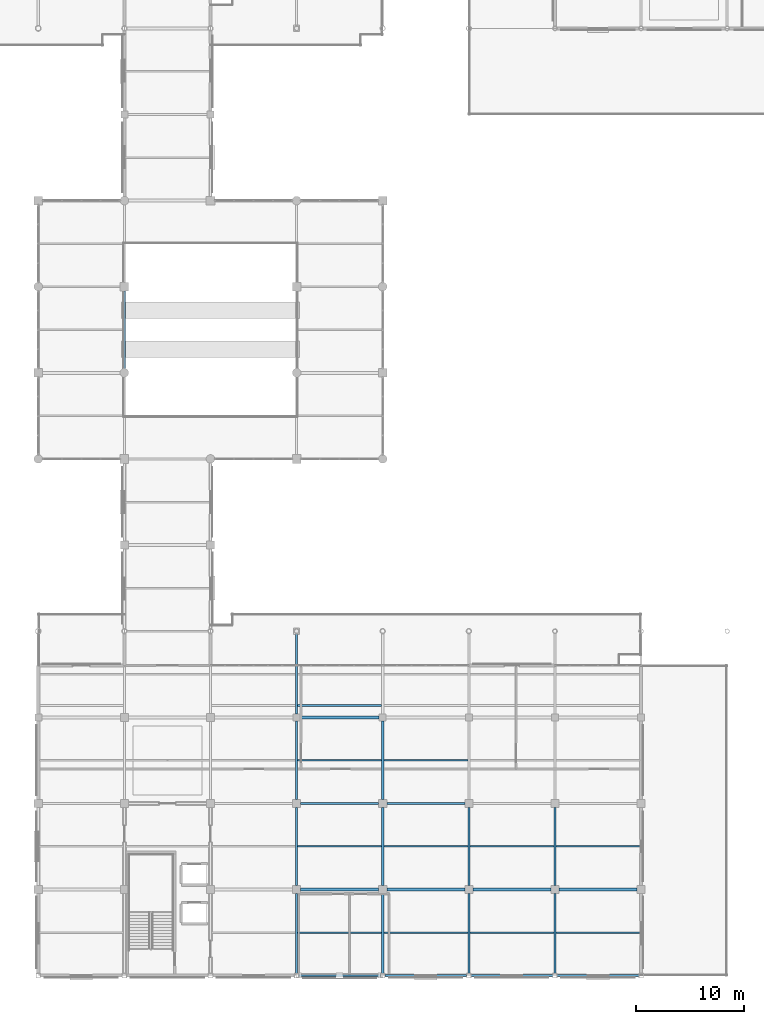
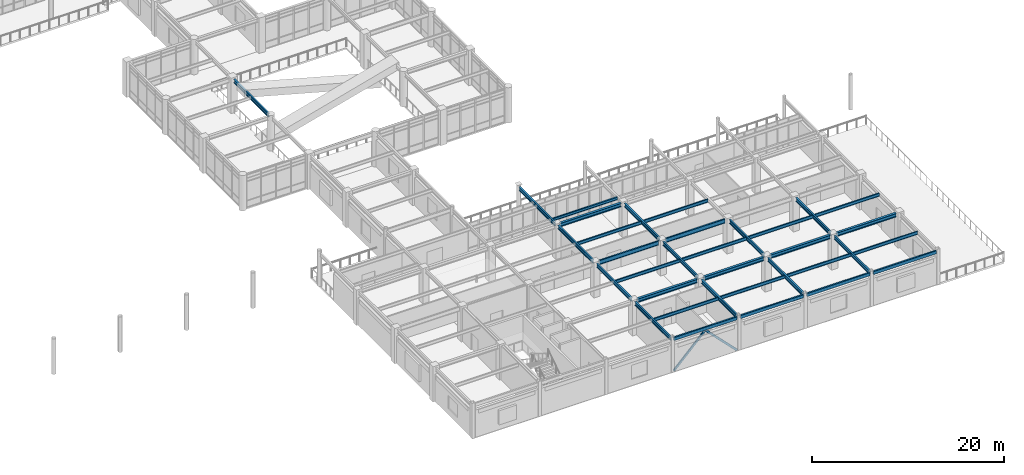
# One storey, part 22 of 75: 34 beams, 2 members.
"""IFC4 building model written with IfcOpenShell, lengths in metres."""

from ifc_helpers import new_model, si_unit, direction, frame, origin, origin_2d, place, context, subcontext, project, spatial, hollow_rectangle, i_section, extrude, material, material_profile, profile_set, type_object, element, save


model = new_model("IFC4")

# Units and contexts
model_context = context("Model", 3, precision=1e-05, world=origin(), true_north=direction((0.0, 1.0)))
body_context = subcontext(model_context, "Body", "Model", "MODEL_VIEW")
ifc_project = project(units=[si_unit("LENGTHUNIT", "METRE"), si_unit("AREAUNIT", "SQUARE_METRE"), si_unit("VOLUMEUNIT", "CUBIC_METRE"), si_unit("PLANEANGLEUNIT", "RADIAN"), si_unit("MASSUNIT", "GRAM", prefix="KILO")], contexts=[model_context])

# Site, building, storey
site_placement = place(None, origin())
site = spatial("IfcSite", under=ifc_project, at=site_placement, CompositionType="ELEMENT")
building_placement = place(site_placement, origin())
building = spatial("IfcBuilding", under=site, at=building_placement, Name="Solmirada Galleria", CompositionType="ELEMENT")
storey_placement = place(building_placement, frame((0.0, 0.0, 19.39990234375)))
storey = spatial("IfcBuildingStorey", under=building, at=storey_placement, Name="L04", CompositionType="ELEMENT", Elevation=19.39990234375)

# Beams
ifc_material_1 = material(Name="Steel S355 / ASTM A992 Grade 50", Category="steel")
ifc_material_profile_1 = material_profile(ifc_material_1, i_section(OverallWidth=0.281982421875, OverallDepth=0.467041015625, WebThickness=0.01220703125, FlangeThickness=0.01953125, FilletRadius=0.013916015625, at=origin_2d()), Name="W18X86")
ifc_profile_set_1 = profile_set([ifc_material_profile_1], Name="Steel S355 / ASTM A992 Grade 50")
beam_type_1 = type_object("IfcBeamType", Name="BM-GIRD-W18A", PredefinedType="BEAM", material=ifc_profile_set_1)
beam_1_placement = place(storey_placement, frame((104.375, 8.0, 4.066650390625), z_axis=(1.0, 0.0, 0.0), x_axis=(0.0, 1.0, 0.0)))
element("IfcBeam", 1, at=beam_1_placement, inside=storey, type_object=beam_type_1, Name="Primary beam L05 X(104..112, 8)", PredefinedType="BEAM", context=body_context, shape_type="SweptSolid", body=[
    extrude(i_section(OverallWidth=0.281982421875, OverallDepth=0.467041015625, WebThickness=0.01220703125, FlangeThickness=0.01953125, FilletRadius=0.013916015625, at=origin_2d()), origin(), (0.0, 0.0, 1.0), 7.25),
])
beam_2_placement = place(storey_placement, frame((104.324951171875, 24.0, 4.026611328125), z_axis=(1.0, 0.0, 0.0), x_axis=(0.0, 1.0, 0.0)))
element("IfcBeam", 2, at=beam_2_placement, inside=storey, type_object=beam_type_1, Name="Primary beam L05 X(104..112, 24)", PredefinedType="BEAM", context=body_context, shape_type="SweptSolid", body=[
    extrude(i_section(OverallWidth=0.281982421875, OverallDepth=0.467041015625, WebThickness=0.01220703125, FlangeThickness=0.01953125, FilletRadius=0.013916015625, at=origin_2d()), origin(), (0.0, 0.0, 1.0), 7.35009765625),
])
for number, where, z_axis, x_axis, name in (
    (3, (112.375, 8.0, 4.066650390625), (1.0, 0.0, 0.0), (0.0, 1.0, 0.0), "Primary beam L05 X(112..120, 8)"),
    (4, (120.375, 8.0, 4.066650390625), (1.0, 0.0, 0.0), (0.0, 1.0, 0.0), "Primary beam L05 X(120..128, 8)"),
    (5, (128.375, 8.0, 4.066650390625), (1.0, 0.0, 0.0), (0.0, 1.0, 0.0), "Primary beam L05 X(128..136, 8)"),
):
    element("IfcBeam", number, at=place(storey_placement, frame(where, z_axis=z_axis, x_axis=x_axis)), inside=storey, type_object=beam_type_1, Name=name, PredefinedType="BEAM", context=body_context, shape_type="SweptSolid", body=[
        extrude(i_section(OverallWidth=0.281982421875, OverallDepth=0.467041015625, WebThickness=0.01220703125, FlangeThickness=0.01953125, FilletRadius=0.013916015625, at=origin_2d()), origin(), (0.0, 0.0, 1.0), 7.25),
    ])
ifc_material_profile_2 = material_profile(ifc_material_1, i_section(OverallWidth=0.193115234375, OverallDepth=0.466064453125, WebThickness=0.011474609375, FlangeThickness=0.01904296875, FilletRadius=0.013916015625, at=origin_2d()), Name="W18X65")
ifc_profile_set_2 = profile_set([ifc_material_profile_2], Name="Steel S355 / ASTM A992 Grade 50")
beam_type_2 = type_object("IfcBeamType", Name="BM-GIRD-W18C", PredefinedType="BEAM", material=ifc_profile_set_2)
beam_3_placement = place(storey_placement, frame((88.0, 56.3359375, 4.067138671875), z_axis=(0.0, 1.0, 0.0), x_axis=(-1.0, 0.0, 0.0)))
element("IfcBeam", 6, at=beam_3_placement, inside=storey, type_object=beam_type_2, Name="Primary girder L05 Y(88, 56..64)", PredefinedType="BEAM", context=body_context, shape_type="SweptSolid", body=[
    extrude(i_section(OverallWidth=0.193115234375, OverallDepth=0.466064453125, WebThickness=0.011474609375, FlangeThickness=0.01904296875, FilletRadius=0.013916015625, at=origin_2d()), origin(), (0.0, 0.0, 1.0), 7.26416015625),
])
beam_4_placement = place(storey_placement, frame((104.0, 0.202880859375, 4.067138671875), z_axis=(0.0, 1.0, 0.0), x_axis=(-1.0, 0.0, 0.0)))
element("IfcBeam", 7, at=beam_4_placement, inside=storey, type_object=beam_type_2, Name="Primary girder L05 Y(104, 0..8)", PredefinedType="BEAM", context=body_context, shape_type="SweptSolid", body=[
    extrude(i_section(OverallWidth=0.193115234375, OverallDepth=0.466064453125, WebThickness=0.011474609375, FlangeThickness=0.01904296875, FilletRadius=0.013916015625, at=origin_2d()), origin(), (0.0, 0.0, 1.0), 7.422119140625),
])
beam_5_placement = place(storey_placement, frame((104.0, 8.375, 4.067138671875), z_axis=(0.0, 1.0, 0.0), x_axis=(-1.0, 0.0, 0.0)))
element("IfcBeam", 8, at=beam_5_placement, inside=storey, type_object=beam_type_2, Name="Primary girder L05 Y(104, 8..16)", PredefinedType="BEAM", context=body_context, shape_type="SweptSolid", body=[
    extrude(i_section(OverallWidth=0.193115234375, OverallDepth=0.466064453125, WebThickness=0.011474609375, FlangeThickness=0.01904296875, FilletRadius=0.013916015625, at=origin_2d()), origin(), (0.0, 0.0, 1.0), 7.25),
])
beam_6_placement = place(storey_placement, frame((104.0, 16.375, 4.067138671875), z_axis=(0.0, 1.0, 0.0), x_axis=(-1.0, 0.0, 0.0)))
element("IfcBeam", 9, at=beam_6_placement, inside=storey, type_object=beam_type_2, Name="Primary girder L05 Y(104, 16..24)", PredefinedType="BEAM", context=body_context, shape_type="SweptSolid", body=[
    extrude(i_section(OverallWidth=0.193115234375, OverallDepth=0.466064453125, WebThickness=0.011474609375, FlangeThickness=0.01904296875, FilletRadius=0.013916015625, at=origin_2d()), origin(), (0.0, 0.0, 1.0), 7.300048828125),
])
beam_7_placement = place(storey_placement, frame((104.0, 24.324951171875, 4.027099609375), z_axis=(0.0, 1.0, 0.0), x_axis=(-1.0, 0.0, 0.0)))
element("IfcBeam", 10, at=beam_7_placement, inside=storey, type_object=beam_type_2, Name="Primary girder L05 Y(104, 24..32)", PredefinedType="BEAM", context=body_context, shape_type="SweptSolid", body=[
    extrude(i_section(OverallWidth=0.193115234375, OverallDepth=0.466064453125, WebThickness=0.011474609375, FlangeThickness=0.01904296875, FilletRadius=0.013916015625, at=origin_2d()), origin(), (0.0, 0.0, 1.0), 7.483154296875),
])
beam_8_placement = place(storey_placement, frame((112.0, 0.202880859375, 4.067138671875), z_axis=(0.0, 1.0, 0.0), x_axis=(-1.0, 0.0, 0.0)))
element("IfcBeam", 11, at=beam_8_placement, inside=storey, type_object=beam_type_2, Name="Primary girder L05 Y(112, 0..8)", PredefinedType="BEAM", context=body_context, shape_type="SweptSolid", body=[
    extrude(i_section(OverallWidth=0.193115234375, OverallDepth=0.466064453125, WebThickness=0.011474609375, FlangeThickness=0.01904296875, FilletRadius=0.013916015625, at=origin_2d()), origin(), (0.0, 0.0, 1.0), 7.422119140625),
])
beam_9_placement = place(storey_placement, frame((112.0, 8.375, 4.067138671875), z_axis=(0.0, 1.0, 0.0), x_axis=(-1.0, 0.0, 0.0)))
element("IfcBeam", 12, at=beam_9_placement, inside=storey, type_object=beam_type_2, Name="Primary girder L05 Y(112, 8..16)", PredefinedType="BEAM", context=body_context, shape_type="SweptSolid", body=[
    extrude(i_section(OverallWidth=0.193115234375, OverallDepth=0.466064453125, WebThickness=0.011474609375, FlangeThickness=0.01904296875, FilletRadius=0.013916015625, at=origin_2d()), origin(), (0.0, 0.0, 1.0), 7.25),
])
beam_10_placement = place(storey_placement, frame((112.0, 16.375, 4.067138671875), z_axis=(0.0, 1.0, 0.0), x_axis=(-1.0, 0.0, 0.0)))
element("IfcBeam", 13, at=beam_10_placement, inside=storey, type_object=beam_type_2, Name="Primary girder L05 Y(112, 16..24)", PredefinedType="BEAM", context=body_context, shape_type="SweptSolid", body=[
    extrude(i_section(OverallWidth=0.193115234375, OverallDepth=0.466064453125, WebThickness=0.011474609375, FlangeThickness=0.01904296875, FilletRadius=0.013916015625, at=origin_2d()), origin(), (0.0, 0.0, 1.0), 7.300048828125),
])
beam_11_placement = place(storey_placement, frame((120.0, 0.202880859375, 4.067138671875), z_axis=(0.0, 1.0, 0.0), x_axis=(-1.0, 0.0, 0.0)))
element("IfcBeam", 14, at=beam_11_placement, inside=storey, type_object=beam_type_2, Name="Primary girder L05 Y(120, 0..8)", PredefinedType="BEAM", context=body_context, shape_type="SweptSolid", body=[
    extrude(i_section(OverallWidth=0.193115234375, OverallDepth=0.466064453125, WebThickness=0.011474609375, FlangeThickness=0.01904296875, FilletRadius=0.013916015625, at=origin_2d()), origin(), (0.0, 0.0, 1.0), 7.422119140625),
])
beam_12_placement = place(storey_placement, frame((120.0, 8.375, 4.067138671875), z_axis=(0.0, 1.0, 0.0), x_axis=(-1.0, 0.0, 0.0)))
element("IfcBeam", 15, at=beam_12_placement, inside=storey, type_object=beam_type_2, Name="Primary girder L05 Y(120, 8..16)", PredefinedType="BEAM", context=body_context, shape_type="SweptSolid", body=[
    extrude(i_section(OverallWidth=0.193115234375, OverallDepth=0.466064453125, WebThickness=0.011474609375, FlangeThickness=0.01904296875, FilletRadius=0.013916015625, at=origin_2d()), origin(), (0.0, 0.0, 1.0), 7.25),
])
beam_13_placement = place(storey_placement, frame((128.0, 0.202880859375, 4.067138671875), z_axis=(0.0, 1.0, 0.0), x_axis=(-1.0, 0.0, 0.0)))
element("IfcBeam", 16, at=beam_13_placement, inside=storey, type_object=beam_type_2, Name="Primary girder L05 Y(128, 0..8)", PredefinedType="BEAM", context=body_context, shape_type="SweptSolid", body=[
    extrude(i_section(OverallWidth=0.193115234375, OverallDepth=0.466064453125, WebThickness=0.011474609375, FlangeThickness=0.01904296875, FilletRadius=0.013916015625, at=origin_2d()), origin(), (0.0, 0.0, 1.0), 7.422119140625),
])
beam_14_placement = place(storey_placement, frame((128.0, 8.375, 4.067138671875), z_axis=(0.0, 1.0, 0.0), x_axis=(-1.0, 0.0, 0.0)))
element("IfcBeam", 17, at=beam_14_placement, inside=storey, type_object=beam_type_2, Name="Primary girder L05 Y(128, 8..16)", PredefinedType="BEAM", context=body_context, shape_type="SweptSolid", body=[
    extrude(i_section(OverallWidth=0.193115234375, OverallDepth=0.466064453125, WebThickness=0.011474609375, FlangeThickness=0.01904296875, FilletRadius=0.013916015625, at=origin_2d()), origin(), (0.0, 0.0, 1.0), 7.25),
])
ifc_material_profile_3 = material_profile(ifc_material_1, i_section(OverallWidth=0.1669921875, OverallDepth=0.534912109375, WebThickness=0.01025390625, FlangeThickness=0.0166015625, FilletRadius=0.013916015625, at=origin_2d()), Name="W21X57")
ifc_profile_set_3 = profile_set([ifc_material_profile_3], Name="Steel S355 / ASTM A992 Grade 50")
beam_type_3 = type_object("IfcBeamType", Name="BM-GIRD-W21C", PredefinedType="BEAM", material=ifc_profile_set_3)
for number, where, z_axis, x_axis, name in (
    (18, (104.375, 16.0, 4.03271484375), (1.0, 0.0, 0.0), (0.0, 1.0, 0.0), "Primary beam L05 X(104..112, 16)"),
    (19, (112.375, 16.0, 4.03271484375), (1.0, 0.0, 0.0), (0.0, 1.0, 0.0), "Primary beam L05 X(112..120, 16)"),
):
    element("IfcBeam", number, at=place(storey_placement, frame(where, z_axis=z_axis, x_axis=x_axis)), inside=storey, type_object=beam_type_3, Name=name, PredefinedType="BEAM", context=body_context, shape_type="SweptSolid", body=[
        extrude(i_section(OverallWidth=0.1669921875, OverallDepth=0.534912109375, WebThickness=0.01025390625, FlangeThickness=0.0166015625, FilletRadius=0.013916015625, at=origin_2d()), origin(), (0.0, 0.0, 1.0), 7.25),
    ])
ifc_material_profile_4 = material_profile(ifc_material_1, i_section(OverallWidth=0.1708984375, OverallDepth=0.35205078125, WebThickness=0.0068359375, FlangeThickness=0.009765625, FilletRadius=0.010986328125, at=origin_2d()), Name="W14X30")
ifc_profile_set_4 = profile_set([ifc_material_profile_4], Name="Steel S355 / ASTM A992 Grade 50")
beam_type_4 = type_object("IfcBeamType", Name="BM-JST-W14B", PredefinedType="JOIST", material=ifc_profile_set_4)
beam_15_placement = place(storey_placement, frame((104.096435546875, 25.10009765625, 4.083984375), z_axis=(1.0, 0.0, 0.0), x_axis=(0.0, 1.0, 0.0)))
element("IfcBeam", 20, at=beam_15_placement, inside=storey, type_object=beam_type_4, Name="Terrace deck joist L05-TERR-SE X=104..112 (1)", PredefinedType="JOIST", context=body_context, shape_type="SweptSolid", body=[
    extrude(i_section(OverallWidth=0.1708984375, OverallDepth=0.35205078125, WebThickness=0.0068359375, FlangeThickness=0.009765625, FilletRadius=0.010986328125, at=origin_2d()), origin(), (0.0, 0.0, 1.0), 7.80712890625),
])
ifc_material_profile_5 = material_profile(ifc_material_1, i_section(OverallWidth=0.139892578125, OverallDepth=0.39892578125, WebThickness=0.00634765625, FlangeThickness=0.0087890625, FilletRadius=0.010986328125, at=origin_2d()), Name="W16X26")
ifc_profile_set_5 = profile_set([ifc_material_profile_5], Name="Steel S355 / ASTM A992 Grade 50")
beam_type_5 = type_object("IfcBeamType", Name="BM-JST-W16C", PredefinedType="JOIST", material=ifc_profile_set_5)
for number, where, z_axis, x_axis, name in (
    (21, (104.096435546875, 4.0, 4.1005859375), (1.0, 0.0, 0.0), (0.0, 1.0, 0.0), "Composite floor joist L05 (104..112, 4.0)"),
    (22, (104.096435546875, 12.0, 4.1005859375), (1.0, 0.0, 0.0), (0.0, 1.0, 0.0), "Composite floor joist L05 (104..112, 12.0)"),
    (23, (104.096435546875, 20.0, 4.1005859375), (1.0, 0.0, 0.0), (0.0, 1.0, 0.0), "Composite floor joist L05 (104..112, 20.0)"),
    (24, (112.096435546875, 4.0, 4.1005859375), (1.0, 0.0, 0.0), (0.0, 1.0, 0.0), "Composite floor joist L05 (112..120, 4.0)"),
    (25, (112.096435546875, 12.0, 4.1005859375), (1.0, 0.0, 0.0), (0.0, 1.0, 0.0), "Composite floor joist L05 (112..120, 12.0)"),
    (26, (112.096435546875, 20.0, 4.1005859375), (1.0, 0.0, 0.0), (0.0, 1.0, 0.0), "Composite floor joist L05 (112..120, 20.0)"),
    (27, (120.096435546875, 4.0, 4.1005859375), (1.0, 0.0, 0.0), (0.0, 1.0, 0.0), "Composite floor joist L05 (120..128, 4.0)"),
    (28, (120.096435546875, 12.0, 4.1005859375), (1.0, 0.0, 0.0), (0.0, 1.0, 0.0), "Composite floor joist L05 (120..128, 12.0)"),
    (29, (128.096435546875, 4.0, 4.1005859375), (1.0, 0.0, 0.0), (0.0, 1.0, 0.0), "Composite floor joist L05 (128..136, 4.0)"),
    (30, (128.096435546875, 12.0, 4.1005859375), (1.0, 0.0, 0.0), (0.0, 1.0, 0.0), "Composite floor joist L05 (128..136, 12.0)"),
):
    element("IfcBeam", number, at=place(storey_placement, frame(where, z_axis=z_axis, x_axis=x_axis)), inside=storey, type_object=beam_type_5, Name=name, PredefinedType="JOIST", context=body_context, shape_type="SweptSolid", body=[
        extrude(i_section(OverallWidth=0.139892578125, OverallDepth=0.39892578125, WebThickness=0.00634765625, FlangeThickness=0.0087890625, FilletRadius=0.010986328125, at=origin_2d()), origin(), (0.0, 0.0, 1.0), 7.80712890625),
    ])
ifc_material_2 = material(Name="Steel S355 / ASTM A500 Grade C", Category="steel")
ifc_material_profile_6 = material_profile(ifc_material_2, hollow_rectangle(XDim=0.202880859375, YDim=0.406005859375, WallThickness=0.01171875, InnerFilletRadius=0.01171875, OuterFilletRadius=0.023681640625, at=origin_2d()), Name="HSS16X8X1/2")
ifc_profile_set_6 = profile_set([ifc_material_profile_6], Name="Steel S355 / ASTM A500 Grade C")
beam_type_6 = type_object("IfcBeamType", Name="BM-SPAND-W16A", PredefinedType="SPANDREL", material=ifc_profile_set_6)
for number, where, z_axis, x_axis, name in (
    (31, (104.202880859375, 0.0, 4.09716796875), (1.0, 0.0, 0.0), (0.0, 1.0, 0.0), "Primary beam L05 X(104..112, 0)"),
    (32, (112.202880859375, 0.0, 4.09716796875), (1.0, 0.0, 0.0), (0.0, 1.0, 0.0), "Primary beam L05 X(112..120, 0)"),
    (33, (120.202880859375, 0.0, 4.09716796875), (1.0, 0.0, 0.0), (0.0, 1.0, 0.0), "Primary beam L05 X(120..128, 0)"),
    (34, (128.202880859375, 0.0, 4.09716796875), (1.0, 0.0, 0.0), (0.0, 1.0, 0.0), "Primary beam L05 X(128..136, 0)"),
):
    element("IfcBeam", number, at=place(storey_placement, frame(where, z_axis=z_axis, x_axis=x_axis)), inside=storey, type_object=beam_type_6, Name=name, PredefinedType="SPANDREL", context=body_context, shape_type="SweptSolid", body=[
        extrude(hollow_rectangle(XDim=0.202880859375, YDim=0.406005859375, WallThickness=0.01171875, InnerFilletRadius=0.01171875, OuterFilletRadius=0.023681640625, at=origin_2d()), origin(), (0.0, 0.0, 1.0), 7.59423828125),
    ])

# Members
ifc_material_profile_7 = material_profile(ifc_material_2, hollow_rectangle(XDim=0.152099609375, YDim=0.25390625, WallThickness=0.0087890625, InnerFilletRadius=0.0087890625, OuterFilletRadius=0.017822265625, at=origin_2d()), Name="HSS10X6X3/8")
ifc_profile_set_7 = profile_set([ifc_material_profile_7], Name="Steel S355 / ASTM A500 Grade C")
member_type = type_object("IfcMemberType", Name="MEM-CBF-EXT", PredefinedType="BRACE", material=ifc_profile_set_7)
for number, where, z_axis, x_axis, name in (
    (35, (104.202880859375, 0.0, 0.02001953125), (0.701266400883, 0.0, 0.712899316168), (0.0, 1.0, 0.0), "Braced frame diagonal CBF-S1 L04 A"),
    (36, (111.797119140625, 0.0, 0.02001953125), (-0.701266400883, 0.0, 0.712899316168), (0.0, -1.0, 0.0), "Braced frame diagonal CBF-S1 L04 B"),
):
    element("IfcMember", number, at=place(storey_placement, frame(where, z_axis=z_axis, x_axis=x_axis)), inside=storey, type_object=member_type, Name=name, PredefinedType="BRACE", context=body_context, shape_type="SweptSolid", body=[
        extrude(hollow_rectangle(XDim=0.152099609375, YDim=0.25390625, WallThickness=0.0087890625, InnerFilletRadius=0.0087890625, OuterFilletRadius=0.017822265625, at=origin_2d()), origin(), (0.0, 0.0, 1.0), 5.41455078125),
    ])

save(model, "model.ifc")
